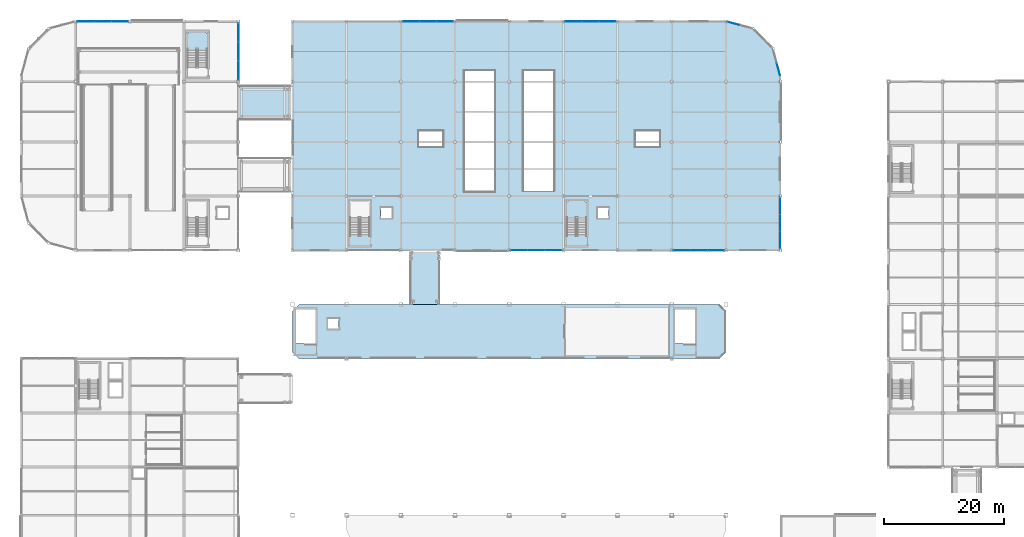
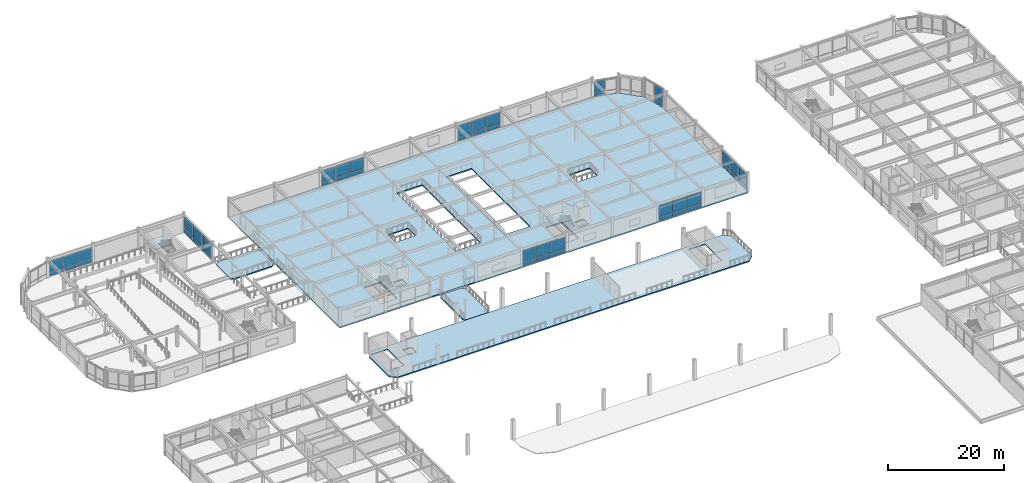
# One storey, part 64 of 105: 46 plates, 6 slabs, 11 elements without a shape of their own.
"""IFC4 building model written with IfcOpenShell, lengths in metres."""

import ifcopenshell
import ifcopenshell.guid

model = None  # the IFC model being written
_history = None  # IfcOwnerHistory: only IFC2X3 demands one
_inside = {}  # id of a spatial element -> (the spatial element, [elements in it])
_under = {}  # id of a project, library or spatial element -> (it, [spatial elements below it])
_declared = {}  # id of a project -> (the project, [libraries it declares])
_typed = {}  # id of a type object -> (the type object, [elements of that type])
_made_of = {}  # id of a material, layer set ... -> (it, [elements and type objects made of it])


def new_model(schema):
    """Start an empty IFC model of exactly this schema.

    Asked for "IFC4X3", IfcOpenShell would pick the latest addendum, in which some entities
    have other attributes; the version numbers below select the first issue.
    IFC2X3 requires an IfcOwnerHistory on every rooted entity: one is made here for all.
    """
    global model, _history
    if schema == "IFC4X3":
        model = ifcopenshell.file(schema_version=(4, 3, 0, 0))
    else:
        model = ifcopenshell.file(schema=schema)
    _inside.clear()
    _under.clear()
    _declared.clear()
    _typed.clear()
    _made_of.clear()
    _history = None
    if model.schema == "IFC2X3":
        org = make("IfcOrganization", Name="unknown")
        user = make(
            "IfcPersonAndOrganization",
            ThePerson=make("IfcPerson", FamilyName="unknown"),
            TheOrganization=org,
        )
        app = make(
            "IfcApplication",
            ApplicationDeveloper=org,
            Version="unknown",
            ApplicationFullName="unknown",
            ApplicationIdentifier="unknown",
        )
        _history = make(
            "IfcOwnerHistory",
            OwningUser=user,
            OwningApplication=app,
            ChangeAction="ADDED",
            CreationDate=0,
        )
    return model


def make(cls, **values):
    """One entity of the class cls with the attributes given. An attribute that is None is left unset."""
    return model.create_entity(
        cls, **{name: value for name, value in values.items() if value is not None}
    )


def rooted(cls, **values):
    """An entity with a GlobalId (a new one), such as an element, a storey or a relation."""
    return make(cls, GlobalId=ifcopenshell.guid.new(), OwnerHistory=_history, **values)


def si_unit(unit_type, name, prefix=None):
    """IfcSIUnit, for example si_unit("LENGTHUNIT", "METRE", prefix="MILLI")."""
    return make("IfcSIUnit", UnitType=unit_type, Prefix=prefix, Name=name)


def assignment(units):
    """IfcUnitAssignment: the units of a project."""
    return None if units is None else make("IfcUnitAssignment", Units=units)


def point(xyz):
    """IfcCartesianPoint."""
    return None if xyz is None else make("IfcCartesianPoint", Coordinates=xyz)


def direction(xyz):
    """IfcDirection."""
    return None if xyz is None else make("IfcDirection", DirectionRatios=xyz)


def frame(location, z_axis=None, x_axis=None):
    """IfcAxis2Placement3D, a coordinate frame: its origin and axes. An axis left out is left unset."""
    return make(
        "IfcAxis2Placement3D",
        Location=point(location),
        Axis=direction(z_axis),
        RefDirection=direction(x_axis),
    )


def frame_2d(location, x_axis=None):
    """IfcAxis2Placement2D, a coordinate frame in the plane: its origin and x axis."""
    return make(
        "IfcAxis2Placement2D", Location=point(location), RefDirection=direction(x_axis)
    )


def origin():
    """The frame at (0, 0, 0) with its axes left unset."""
    return frame((0.0, 0.0, 0.0))


def origin_2d():
    """The frame at (0, 0) in the plane with its x axis left unset."""
    return frame_2d((0.0, 0.0))


def place(relative_to, where):
    """IfcLocalPlacement: puts the frame where relative to a parent placement (None: the world)."""
    return make(
        "IfcLocalPlacement", PlacementRelTo=relative_to, RelativePlacement=where
    )


def context(
    kind, dimensions, precision=None, world=None, true_north=None, identifier=None
):
    """IfcGeometricRepresentationContext, for example the 3D "Model" context."""
    return make(
        "IfcGeometricRepresentationContext",
        ContextIdentifier=identifier,
        ContextType=kind,
        CoordinateSpaceDimension=dimensions,
        Precision=precision,
        WorldCoordinateSystem=world,
        TrueNorth=true_north,
    )


def subcontext(parent, identifier, kind, view, scale=None):
    """IfcGeometricRepresentationSubContext, for example "Body" below "Model"."""
    return make(
        "IfcGeometricRepresentationSubContext",
        ContextIdentifier=identifier,
        ContextType=kind,
        ParentContext=parent,
        TargetScale=scale,
        TargetView=view,
    )


def project(units=None, contexts=None):
    """IfcProject with its units and contexts."""
    return rooted(
        "IfcProject",
        Name="project",
        RepresentationContexts=contexts,
        UnitsInContext=assignment(units),
    )


def spatial(cls, under=None, at=None, **own):
    """A site, building, storey or space (cls), placed at a placement, below another one or the project."""
    s = rooted(cls, ObjectPlacement=at, **own)
    if under is not None:
        _under.setdefault(under.id(), (under, []))[1].append(s)
    return s


def polyline(points):
    """IfcPolyline through the points."""
    return make("IfcPolyline", Points=[point(p) for p in points])


def profile(cls, at=None, kind="AREA", **sizes):
    """A parametric profile (cls). Its sizes go by their IFC names, for example OverallWidth=200.0."""
    return make(cls, ProfileType=kind, Position=at, **sizes)


def rectangle(**sizes):
    """IfcRectangleProfileDef."""
    return profile("IfcRectangleProfileDef", **sizes)


def outline(outer, holes=None, kind="AREA"):
    """IfcArbitraryClosedProfileDef: a profile drawn as a closed curve; with holes, ...WithVoids."""
    if holes is None:
        return make("IfcArbitraryClosedProfileDef", ProfileType=kind, OuterCurve=outer)
    return make(
        "IfcArbitraryProfileDefWithVoids",
        ProfileType=kind,
        OuterCurve=outer,
        InnerCurves=holes,
    )


def extrude(swept, where, along, depth):
    """IfcExtrudedAreaSolid: the profile swept, set in the frame where, extruded along a direction by depth."""
    return make(
        "IfcExtrudedAreaSolid",
        SweptArea=swept,
        Position=where,
        ExtrudedDirection=direction(along),
        Depth=depth,
    )


def shape(context_of_items, identifier, shape_type, items):
    """IfcShapeRepresentation: the items that make up one representation, for example the "Body"."""
    return make(
        "IfcShapeRepresentation",
        ContextOfItems=context_of_items,
        RepresentationIdentifier=identifier,
        RepresentationType=shape_type,
        Items=items,
    )


def material(Name=None, Category=None):
    """IfcMaterial."""
    return make("IfcMaterial", Name=Name, Category=Category)


def layer(
    of_material, thickness, ventilated=None, Name=None, Category=None, Priority=None
):
    """IfcMaterialLayer: one layer of a wall or slab, of a material (None: an air gap)."""
    return make(
        "IfcMaterialLayer",
        Material=of_material,
        LayerThickness=thickness,
        IsVentilated=ventilated,
        Name=Name,
        Category=Category,
        Priority=Priority,
    )


def layer_set(layers, Name=None):
    """IfcMaterialLayerSet."""
    return make("IfcMaterialLayerSet", MaterialLayers=layers, LayerSetName=Name)


def made_of(thing, what):
    """Note that an element or type object is made of a material, layer set ...; save() writes the relation."""
    if what is not None:
        _made_of.setdefault(what.id(), (what, []))[1].append(thing)
    return thing


def type_object(cls, material=None, **own):
    """A type object (cls), such as IfcWallType, which elements share."""
    return made_of(rooted(cls, **own), material)


def element(
    cls,
    number,
    at=None,
    inside=None,
    cuts=None,
    type_object=None,
    material=None,
    context=None,
    identifier="Body",
    shape_type=None,
    held_by="IfcProductDefinitionShape",
    body=None,
    shapes=None,
    **own,
):
    """One element of the class cls, such as IfcWall. Its Tag is "e" and its number.

    at: its placement. inside: the storey or other place that contains it. cuts: it is an
    opening in that element (IfcRelVoidsElement). A single representation is given by context,
    identifier, shape_type and body (its items); several are given by shapes. held_by: the class
    of the entity that holds the representations. save() writes the other relations.
    """
    e = rooted(cls, Tag="e%d" % number, ObjectPlacement=at, **own)
    if body is not None:
        shapes = [shape(context, identifier, shape_type, body)]
    if shapes is not None:
        e.Representation = make(held_by, Representations=shapes)
    if inside is not None:
        _inside.setdefault(inside.id(), (inside, []))[1].append(e)
    if cuts is not None:
        rooted(
            "IfcRelVoidsElement", RelatingBuildingElement=cuts, RelatedOpeningElement=e
        )
    if type_object is not None:
        _typed.setdefault(type_object.id(), (type_object, []))[1].append(e)
    return made_of(e, material)


def aggregate(whole, parts):
    """IfcRelAggregates: a whole, such as a stair, and the parts it consists of."""
    return rooted("IfcRelAggregates", RelatingObject=whole, RelatedObjects=parts)


def save(model, path):
    """Write the relations noted so far, then the file.

    IfcRelAggregates (storeys below a building ...), IfcRelContainedInSpatialStructure (elements
    in a storey), IfcRelDefinesByType, IfcRelAssociatesMaterial and IfcRelDeclares: one each for
    every whole, place, type object, material and project.
    """
    for whole, parts in _under.values():
        aggregate(whole, parts)
    for where, things in _inside.values():
        rooted(
            "IfcRelContainedInSpatialStructure",
            RelatedElements=things,
            RelatingStructure=where,
        )
    for kind, things in _typed.values():
        rooted("IfcRelDefinesByType", RelatedObjects=things, RelatingType=kind)
    for what, things in _made_of.values():
        rooted("IfcRelAssociatesMaterial", RelatedObjects=things, RelatingMaterial=what)
    for by, libraries in _declared.values():
        rooted("IfcRelDeclares", RelatingContext=by, RelatedDefinitions=libraries)
    model.write(path)


model = new_model("IFC4")

# Units and contexts
model_context = context("Model", 3, precision=1e-05, world=origin(), true_north=direction((0.0, 1.0)))
body_context = subcontext(model_context, "Body", "Model", "MODEL_VIEW")
ifc_project = project(units=[si_unit("LENGTHUNIT", "METRE"), si_unit("AREAUNIT", "SQUARE_METRE"), si_unit("VOLUMEUNIT", "CUBIC_METRE"), si_unit("PLANEANGLEUNIT", "RADIAN"), si_unit("MASSUNIT", "GRAM", prefix="KILO")], contexts=[model_context])

# Site, building, storey
site_placement = place(None, origin())
site = spatial("IfcSite", under=ifc_project, at=site_placement, CompositionType="ELEMENT")
building_placement = place(site_placement, origin())
building = spatial("IfcBuilding", under=site, at=building_placement, Name="Suzunagisa Mobility Hub", CompositionType="ELEMENT")
storey_placement = place(building_placement, frame((0.0, 0.0, 5.10009765625)))
storey = spatial("IfcBuildingStorey", under=building, at=storey_placement, Name="L01", CompositionType="ELEMENT", Elevation=5.10009765625)

# Slabs
ifc_material_1 = material(Name="Concrete C35/45", Category="concrete")
ifc_layer_1 = layer(ifc_material_1, 0.260009765625)
ifc_layer_set_1 = layer_set([ifc_layer_1], Name="Concrete C35/45")
slab_type_1 = type_object("IfcSlabType", Name="Composite Slab SL-12 260mm", PredefinedType="FLOOR", material=ifc_layer_set_1)
slab_1_placement = place(storey_placement, frame((0.0, 0.0, -0.260009765625)))
element("IfcSlab", 1, at=slab_1_placement, inside=storey, type_object=slab_type_1, Name="L01 V4 Floor Slab", PredefinedType="FLOOR", context=body_context, shape_type="SweptSolid", body=[
    extrude(outline(polyline([(45.0, 80.0), (126.0, 80.0), (126.0, 109.0), (124.794189453125, 113.5), (121.5, 116.794189453125), (117.0, 118.0), (45.0, 118.0), (45.0, 80.0)]), holes=[polyline([(66.0, 97.199951171875), (70.0, 97.199951171875), (70.0, 99.800048828125), (66.0, 99.800048828125), (66.0, 97.199951171875)]), polyline([(102.0, 97.199951171875), (106.0, 97.199951171875), (106.0, 99.800048828125), (102.0, 99.800048828125), (102.0, 97.199951171875)]), polyline([(54.56005859375, 82.47998046875), (57.840087890625, 82.47998046875), (57.840087890625, 88.199951171875), (54.56005859375, 88.199951171875), (54.56005859375, 82.47998046875)]), polyline([(59.719970703125, 85.3701171875), (61.47998046875, 85.3701171875), (61.47998046875, 87.030029296875), (59.719970703125, 87.030029296875), (59.719970703125, 85.3701171875)]), polyline([(90.56005859375, 82.47998046875), (93.840087890625, 82.47998046875), (93.840087890625, 88.199951171875), (90.56005859375, 88.199951171875), (90.56005859375, 82.47998046875)]), polyline([(95.719970703125, 85.3701171875), (97.47998046875, 85.3701171875), (97.47998046875, 87.030029296875), (95.719970703125, 87.030029296875), (95.719970703125, 85.3701171875)]), polyline([(73.60009765625, 89.800048828125), (78.60009765625, 89.800048828125), (78.60009765625, 109.800048828125), (73.60009765625, 109.800048828125), (73.60009765625, 89.800048828125)]), polyline([(83.39990234375, 89.800048828125), (88.39990234375, 89.800048828125), (88.39990234375, 109.800048828125), (83.39990234375, 109.800048828125), (83.39990234375, 89.800048828125)])]), origin(), (0.0, 0.0, 1.0), 0.260009765625),
])
slab_2_placement = place(storey_placement, frame((0.0, 0.0, -0.260009765625)))
element("IfcSlab", 2, at=slab_2_placement, inside=storey, type_object=slab_type_1, Name="L01 Bridge Deck VRL-L01-N", PredefinedType="FLOOR", context=body_context, shape_type="SweptSolid", body=[
    extrude(outline(polyline([(36.550048828125, 101.60009765625), (44.10009765625, 101.60009765625), (44.64990234375, 102.14990234375), (44.64990234375, 106.85009765625), (44.10009765625, 107.39990234375), (36.550048828125, 107.39990234375), (36.0, 106.85009765625), (36.0, 102.14990234375), (36.550048828125, 101.60009765625)])), origin(), (0.0, 0.0, 1.0), 0.260009765625),
])
ifc_layer_2 = layer(ifc_material_1, 0.25)
ifc_layer_set_2 = layer_set([ifc_layer_2], Name="Concrete C35/45")
slab_type_2 = type_object("IfcSlabType", Name="Composite Slab SL-13 250mm", PredefinedType="FLOOR", material=ifc_layer_set_2)
slab_3_placement = place(storey_placement, frame((0.0, 0.0, -0.25)))
element("IfcSlab", 3, at=slab_3_placement, inside=storey, type_object=slab_type_2, Name="L01 V1 Floor Slab", PredefinedType="FLOOR", context=body_context, shape_type="SweptSolid", body=[
    extrude(outline(polyline([(46.10009765625, 62.0), (115.89990234375, 62.0), (117.0, 63.10009765625), (117.0, 69.89990234375), (115.89990234375, 71.0), (46.10009765625, 71.0), (45.0, 69.89990234375), (45.0, 63.10009765625), (46.10009765625, 62.0)]), holes=[polyline([(45.56005859375, 64.47998046875), (48.840087890625, 64.47998046875), (48.840087890625, 70.199951171875), (45.56005859375, 70.199951171875), (45.56005859375, 64.47998046875)]), polyline([(50.919921875, 66.969970703125), (52.679931640625, 66.969970703125), (52.679931640625, 68.6298828125), (50.919921875, 68.6298828125), (50.919921875, 66.969970703125)]), polyline([(108.56005859375, 64.47998046875), (111.840087890625, 64.47998046875), (111.840087890625, 70.199951171875), (108.56005859375, 70.199951171875), (108.56005859375, 64.47998046875)])]), origin(), (0.0, 0.0, 1.0), 0.25),
])
ifc_material_2 = material(Name="Concrete C30/37", Category="concrete")
ifc_layer_3 = layer(ifc_material_2, 0.239990234375)
ifc_layer_set_3 = layer_set([ifc_layer_3], Name="Concrete C30/37")
slab_type_3 = type_object("IfcSlabType", Name="Composite Slab SL-14 240mm", PredefinedType="FLOOR", material=ifc_layer_set_3)
slab_4_placement = place(storey_placement, frame((0.0, 0.0, -0.239990234375)))
element("IfcSlab", 4, at=slab_4_placement, inside=storey, type_object=slab_type_3, Name="L01 Bridge Deck SB-02", PredefinedType="FLOOR", context=body_context, shape_type="SweptSolid", body=[
    extrude(outline(polyline([(65.050048828125, 71.0), (68.949951171875, 71.0), (69.5, 71.550048828125), (69.5, 79.10009765625), (68.949951171875, 79.64990234375), (65.050048828125, 79.64990234375), (64.5, 79.10009765625), (64.5, 71.550048828125), (65.050048828125, 71.0)])), origin(), (0.0, 0.0, 1.0), 0.239990234375),
])

# Stair, slab
stair_type_1 = type_object("IfcStairType", Name="Dog-Leg Core Escape Stair ST-06 W1560", PredefinedType="HALF_TURN_STAIR", material=ifc_material_1)
stair_1_placement = place(storey_placement, origin())
stair_1 = element("IfcStair", 5, at=stair_1_placement, inside=storey, type_object=stair_type_1, Name="L01 Core C6B Escape Stair ST-06", PredefinedType="HALF_TURN_STAIR")
ifc_layer_4 = layer(ifc_material_1, 0.199951171875)
ifc_layer_set_4 = layer_set([ifc_layer_4], Name="Concrete C35/45")
slab_type_4 = type_object("IfcSlabType", Name="Core Stair Half-Landing Slab SL-SLND", PredefinedType="LANDING", material=ifc_layer_set_4)
slab_5_placement = place(storey_placement, frame((0.0, 0.0, 1.89990234375)))
slab_5 = element("IfcSlab", 6, at=slab_5_placement, type_object=slab_type_4, Name="ST-06 landing 1", PredefinedType="LANDING", context=body_context, shape_type="SweptSolid", body=[
    extrude(outline(polyline([(27.4599609375, 113.360107421875), (30.93994140625, 113.360107421875), (30.93994140625, 115.820068359375), (30.4599609375, 116.300048828125), (27.93994140625, 116.300048828125), (27.4599609375, 115.820068359375), (27.4599609375, 113.360107421875)])), origin(), (0.0, 0.0, 1.0), 0.199951171875),
])
aggregate(stair_1, [slab_5])

stair_type_2 = type_object("IfcStairType", Name="Dog-Leg Core Escape Stair ST-08 W1560", PredefinedType="HALF_TURN_STAIR", material=ifc_material_1)
stair_2_placement = place(storey_placement, origin())
stair_2 = element("IfcStair", 7, at=stair_2_placement, inside=storey, type_object=stair_type_2, Name="L01 Core C4 Escape Stair ST-08", PredefinedType="HALF_TURN_STAIR")
slab_6_placement = place(storey_placement, frame((0.0, 0.0, 1.89990234375)))
slab_6 = element("IfcSlab", 8, at=slab_6_placement, type_object=slab_type_4, Name="ST-08 landing 1", PredefinedType="LANDING", context=body_context, shape_type="SweptSolid", body=[
    extrude(outline(polyline([(90.4599609375, 85.360107421875), (93.93994140625, 85.360107421875), (93.93994140625, 87.820068359375), (93.4599609375, 88.300048828125), (90.93994140625, 88.300048828125), (90.4599609375, 87.820068359375), (90.4599609375, 85.360107421875)])), origin(), (0.0, 0.0, 1.0), 0.199951171875),
])
aggregate(stair_2, [slab_6])

# Curtain wall, plates
ifc_material_3 = material(Name="Thermally Broken Anodized Aluminum and Low-E Glazing", Category="aluminium")
curtain_wall_type_1 = type_object("IfcCurtainWallType", Name="Unitised Curtain Wall CW-03 9500x3600", PredefinedType="USERDEFINED", material=ifc_material_3)
curtain_wall_1_placement = place(storey_placement, origin())
curtain_wall_1 = element("IfcCurtainWall", 9, at=curtain_wall_1_placement, inside=storey, type_object=curtain_wall_type_1, Name="L01 Unitised Curtain Wall CW-57", ObjectType="UNITISED CURTAIN WALL", PredefinedType="USERDEFINED")
ifc_material_4 = material(Name="Low-E Solar-Control Double Glazing", Category="glass")
ifc_layer_5 = layer(ifc_material_4, 0.028076171875)
ifc_layer_set_5 = layer_set([ifc_layer_5], Name="Low-E Solar-Control Double Glazing")
plate_type = type_object("IfcPlateType", Name="Low-E Double Glazed Curtain Panel GP-01 28mm", PredefinedType="CURTAIN_PANEL", material=ifc_layer_set_5)
plate_1_placement = place(storey_placement, frame((36.0, 109.83154296875, 0.06298828125), z_axis=(0.0, 0.0, 1.0), x_axis=(0.0, 1.0, 0.0)))
plate_1 = element("IfcPlate", 10, at=plate_1_placement, type_object=plate_type, Name="Curtain Wall Glazing Panel 57-P1.1", PredefinedType="CURTAIN_PANEL", context=body_context, shape_type="SweptSolid", body=[
    extrude(rectangle(XDim=3.097412109375, YDim=0.028076171875, at=origin_2d()), origin(), (0.0, 0.0, 1.0), 0.8564453125),
])
plate_2_placement = place(storey_placement, frame((36.0, 109.83154296875, 0.98046875), z_axis=(0.0, 0.0, 1.0), x_axis=(0.0, 1.0, 0.0)))
plate_2 = element("IfcPlate", 11, at=plate_2_placement, type_object=plate_type, Name="Curtain Wall Glazing Panel 57-P1.2", PredefinedType="CURTAIN_PANEL", context=body_context, shape_type="SweptSolid", body=[
    extrude(rectangle(XDim=3.097412109375, YDim=0.028076171875, at=origin_2d()), origin(), (0.0, 0.0, 1.0), 2.506591796875),
])
plate_3_placement = place(storey_placement, frame((36.0, 113.0, 0.06298828125), z_axis=(0.0, 0.0, 1.0), x_axis=(0.0, 1.0, 0.0)))
plate_3 = element("IfcPlate", 12, at=plate_3_placement, type_object=plate_type, Name="Curtain Wall Glazing Panel 57-P2.1", PredefinedType="CURTAIN_PANEL", context=body_context, shape_type="SweptSolid", body=[
    extrude(rectangle(XDim=3.12744140625, YDim=0.028076171875, at=origin_2d()), origin(), (0.0, 0.0, 1.0), 0.8564453125),
])
plate_4_placement = place(storey_placement, frame((36.0, 113.0, 0.98046875), z_axis=(0.0, 0.0, 1.0), x_axis=(0.0, 1.0, 0.0)))
plate_4 = element("IfcPlate", 13, at=plate_4_placement, type_object=plate_type, Name="Curtain Wall Glazing Panel 57-P2.2", PredefinedType="CURTAIN_PANEL", context=body_context, shape_type="SweptSolid", body=[
    extrude(rectangle(XDim=3.12744140625, YDim=0.028076171875, at=origin_2d()), origin(), (0.0, 0.0, 1.0), 2.506591796875),
])
plate_5_placement = place(storey_placement, frame((36.0, 116.168212890625, 0.06298828125), z_axis=(0.0, 0.0, 1.0), x_axis=(0.0, 1.0, 0.0)))
plate_5 = element("IfcPlate", 14, at=plate_5_placement, type_object=plate_type, Name="Curtain Wall Glazing Panel 57-P3.1", PredefinedType="CURTAIN_PANEL", context=body_context, shape_type="SweptSolid", body=[
    extrude(rectangle(XDim=3.097412109375, YDim=0.028076171875, at=origin_2d()), origin(), (0.0, 0.0, 1.0), 0.8564453125),
])
plate_6_placement = place(storey_placement, frame((36.0, 116.168212890625, 0.98046875), z_axis=(0.0, 0.0, 1.0), x_axis=(0.0, 1.0, 0.0)))
plate_6 = element("IfcPlate", 15, at=plate_6_placement, type_object=plate_type, Name="Curtain Wall Glazing Panel 57-P3.2", PredefinedType="CURTAIN_PANEL", context=body_context, shape_type="SweptSolid", body=[
    extrude(rectangle(XDim=3.097412109375, YDim=0.028076171875, at=origin_2d()), origin(), (0.0, 0.0, 1.0), 2.506591796875),
])
aggregate(curtain_wall_1, [plate_1, plate_2, plate_3, plate_4, plate_5, plate_6])

curtain_wall_type_2 = type_object("IfcCurtainWallType", Name="Unitised Curtain Wall CW-43 8500x3300", PredefinedType="USERDEFINED", material=ifc_material_3)
curtain_wall_2_placement = place(storey_placement, origin())
curtain_wall_2 = element("IfcCurtainWall", 16, at=curtain_wall_2_placement, inside=storey, type_object=curtain_wall_type_2, Name="L01 Unitised Curtain Wall CW-58", ObjectType="UNITISED CURTAIN WALL", PredefinedType="USERDEFINED")
plate_7_placement = place(storey_placement, frame((16.3349609375, 118.0, 0.06298828125), z_axis=(0.0, 0.0, 1.0), x_axis=(-1.0, 0.0, 0.0)))
plate_7 = element("IfcPlate", 17, at=plate_7_placement, type_object=plate_type, Name="Curtain Wall Glazing Panel 58-P1.1", PredefinedType="CURTAIN_PANEL", context=body_context, shape_type="SweptSolid", body=[
    extrude(rectangle(XDim=2.763916015625, YDim=0.028076171875, at=origin_2d()), origin(), (0.0, 0.0, 1.0), 0.8564453125),
])
plate_8_placement = place(storey_placement, frame((16.3349609375, 118.0, 0.980224609375), z_axis=(0.0, 0.0, 1.0), x_axis=(-1.0, 0.0, 0.0)))
plate_8 = element("IfcPlate", 18, at=plate_8_placement, type_object=plate_type, Name="Curtain Wall Glazing Panel 58-P1.2", PredefinedType="CURTAIN_PANEL", context=body_context, shape_type="SweptSolid", body=[
    extrude(rectangle(XDim=2.763916015625, YDim=0.028076171875, at=origin_2d()), origin(), (0.0, 0.0, 1.0), 2.24658203125),
])
plate_9_placement = place(storey_placement, frame((13.5, 118.0, 0.06298828125), z_axis=(0.0, 0.0, 1.0), x_axis=(-1.0, 0.0, 0.0)))
plate_9 = element("IfcPlate", 19, at=plate_9_placement, type_object=plate_type, Name="Curtain Wall Glazing Panel 58-P2.1", PredefinedType="CURTAIN_PANEL", context=body_context, shape_type="SweptSolid", body=[
    extrude(rectangle(XDim=2.7939453125, YDim=0.028076171875, at=origin_2d()), origin(), (0.0, 0.0, 1.0), 0.8564453125),
])
plate_10_placement = place(storey_placement, frame((13.5, 118.0, 0.980224609375), z_axis=(0.0, 0.0, 1.0), x_axis=(-1.0, 0.0, 0.0)))
plate_10 = element("IfcPlate", 20, at=plate_10_placement, type_object=plate_type, Name="Curtain Wall Glazing Panel 58-P2.2", PredefinedType="CURTAIN_PANEL", context=body_context, shape_type="SweptSolid", body=[
    extrude(rectangle(XDim=2.7939453125, YDim=0.028076171875, at=origin_2d()), origin(), (0.0, 0.0, 1.0), 2.24658203125),
])
plate_11_placement = place(storey_placement, frame((10.6650390625, 118.0, 0.06298828125), z_axis=(0.0, 0.0, 1.0), x_axis=(-1.0, 0.0, 0.0)))
plate_11 = element("IfcPlate", 21, at=plate_11_placement, type_object=plate_type, Name="Curtain Wall Glazing Panel 58-P3.1", PredefinedType="CURTAIN_PANEL", context=body_context, shape_type="SweptSolid", body=[
    extrude(rectangle(XDim=2.763916015625, YDim=0.028076171875, at=origin_2d()), origin(), (0.0, 0.0, 1.0), 0.8564453125),
])
plate_12_placement = place(storey_placement, frame((10.6650390625, 118.0, 0.980224609375), z_axis=(0.0, 0.0, 1.0), x_axis=(-1.0, 0.0, 0.0)))
plate_12 = element("IfcPlate", 22, at=plate_12_placement, type_object=plate_type, Name="Curtain Wall Glazing Panel 58-P3.2", PredefinedType="CURTAIN_PANEL", context=body_context, shape_type="SweptSolid", body=[
    extrude(rectangle(XDim=2.763916015625, YDim=0.028076171875, at=origin_2d()), origin(), (0.0, 0.0, 1.0), 2.24658203125),
])
aggregate(curtain_wall_2, [plate_7, plate_8, plate_9, plate_10, plate_11, plate_12])

curtain_wall_type_3 = type_object("IfcCurtainWallType", Name="Unitised Curtain Wall CW-29 8500x3400", PredefinedType="USERDEFINED", material=ifc_material_3)
curtain_wall_3_placement = place(storey_placement, origin())
curtain_wall_3 = element("IfcCurtainWall", 23, at=curtain_wall_3_placement, inside=storey, type_object=curtain_wall_type_3, Name="L01 Unitised Curtain Wall CW-101", ObjectType="UNITISED CURTAIN WALL", PredefinedType="USERDEFINED")
plate_13_placement = place(storey_placement, frame((82.6650390625, 80.0, 0.06298828125), z_axis=(0.0, 0.0, 1.0), x_axis=(1.0, 0.0, 0.0)))
plate_13 = element("IfcPlate", 24, at=plate_13_placement, type_object=plate_type, Name="Curtain Wall Glazing Panel 101-P1.1", PredefinedType="CURTAIN_PANEL", context=body_context, shape_type="SweptSolid", body=[
    extrude(rectangle(XDim=2.763916015625, YDim=0.028076171875, at=origin_2d()), origin(), (0.0, 0.0, 1.0), 0.8564453125),
])
plate_14_placement = place(storey_placement, frame((82.6650390625, 80.0, 0.98046875), z_axis=(0.0, 0.0, 1.0), x_axis=(1.0, 0.0, 0.0)))
plate_14 = element("IfcPlate", 25, at=plate_14_placement, type_object=plate_type, Name="Curtain Wall Glazing Panel 101-P1.2", PredefinedType="CURTAIN_PANEL", context=body_context, shape_type="SweptSolid", body=[
    extrude(rectangle(XDim=2.763916015625, YDim=0.028076171875, at=origin_2d()), origin(), (0.0, 0.0, 1.0), 2.30859375),
])
plate_15_placement = place(storey_placement, frame((85.5, 80.0, 0.06298828125), z_axis=(0.0, 0.0, 1.0), x_axis=(1.0, 0.0, 0.0)))
plate_15 = element("IfcPlate", 26, at=plate_15_placement, type_object=plate_type, Name="Curtain Wall Glazing Panel 101-P2.1", PredefinedType="CURTAIN_PANEL", context=body_context, shape_type="SweptSolid", body=[
    extrude(rectangle(XDim=2.7939453125, YDim=0.028076171875, at=origin_2d()), origin(), (0.0, 0.0, 1.0), 0.8564453125),
])
plate_16_placement = place(storey_placement, frame((85.5, 80.0, 0.98046875), z_axis=(0.0, 0.0, 1.0), x_axis=(1.0, 0.0, 0.0)))
plate_16 = element("IfcPlate", 27, at=plate_16_placement, type_object=plate_type, Name="Curtain Wall Glazing Panel 101-P2.2", PredefinedType="CURTAIN_PANEL", context=body_context, shape_type="SweptSolid", body=[
    extrude(rectangle(XDim=2.7939453125, YDim=0.028076171875, at=origin_2d()), origin(), (0.0, 0.0, 1.0), 2.30859375),
])
plate_17_placement = place(storey_placement, frame((88.3349609375, 80.0, 0.06298828125), z_axis=(0.0, 0.0, 1.0), x_axis=(1.0, 0.0, 0.0)))
plate_17 = element("IfcPlate", 28, at=plate_17_placement, type_object=plate_type, Name="Curtain Wall Glazing Panel 101-P3.1", PredefinedType="CURTAIN_PANEL", context=body_context, shape_type="SweptSolid", body=[
    extrude(rectangle(XDim=2.763916015625, YDim=0.028076171875, at=origin_2d()), origin(), (0.0, 0.0, 1.0), 0.8564453125),
])
plate_18_placement = place(storey_placement, frame((88.3349609375, 80.0, 0.98046875), z_axis=(0.0, 0.0, 1.0), x_axis=(1.0, 0.0, 0.0)))
plate_18 = element("IfcPlate", 29, at=plate_18_placement, type_object=plate_type, Name="Curtain Wall Glazing Panel 101-P3.2", PredefinedType="CURTAIN_PANEL", context=body_context, shape_type="SweptSolid", body=[
    extrude(rectangle(XDim=2.763916015625, YDim=0.028076171875, at=origin_2d()), origin(), (0.0, 0.0, 1.0), 2.30859375),
])
aggregate(curtain_wall_3, [plate_13, plate_14, plate_15, plate_16, plate_17, plate_18])

curtain_wall_4_placement = place(storey_placement, origin())
curtain_wall_4 = element("IfcCurtainWall", 30, at=curtain_wall_4_placement, inside=storey, type_object=curtain_wall_type_3, Name="L01 Unitised Curtain Wall CW-102", ObjectType="UNITISED CURTAIN WALL", PredefinedType="USERDEFINED")
plate_19_placement = place(storey_placement, frame((109.6650390625, 80.0, 0.06298828125), z_axis=(0.0, 0.0, 1.0), x_axis=(1.0, 0.0, 0.0)))
plate_19 = element("IfcPlate", 31, at=plate_19_placement, type_object=plate_type, Name="Curtain Wall Glazing Panel 102-P1.1", PredefinedType="CURTAIN_PANEL", context=body_context, shape_type="SweptSolid", body=[
    extrude(rectangle(XDim=2.763916015625, YDim=0.028076171875, at=origin_2d()), origin(), (0.0, 0.0, 1.0), 0.8564453125),
])
plate_20_placement = place(storey_placement, frame((109.6650390625, 80.0, 0.98046875), z_axis=(0.0, 0.0, 1.0), x_axis=(1.0, 0.0, 0.0)))
plate_20 = element("IfcPlate", 32, at=plate_20_placement, type_object=plate_type, Name="Curtain Wall Glazing Panel 102-P1.2", PredefinedType="CURTAIN_PANEL", context=body_context, shape_type="SweptSolid", body=[
    extrude(rectangle(XDim=2.763916015625, YDim=0.028076171875, at=origin_2d()), origin(), (0.0, 0.0, 1.0), 2.30859375),
])
plate_21_placement = place(storey_placement, frame((112.5, 80.0, 0.06298828125), z_axis=(0.0, 0.0, 1.0), x_axis=(1.0, 0.0, 0.0)))
plate_21 = element("IfcPlate", 33, at=plate_21_placement, type_object=plate_type, Name="Curtain Wall Glazing Panel 102-P2.1", PredefinedType="CURTAIN_PANEL", context=body_context, shape_type="SweptSolid", body=[
    extrude(rectangle(XDim=2.7939453125, YDim=0.028076171875, at=origin_2d()), origin(), (0.0, 0.0, 1.0), 0.8564453125),
])
plate_22_placement = place(storey_placement, frame((112.5, 80.0, 0.98046875), z_axis=(0.0, 0.0, 1.0), x_axis=(1.0, 0.0, 0.0)))
plate_22 = element("IfcPlate", 34, at=plate_22_placement, type_object=plate_type, Name="Curtain Wall Glazing Panel 102-P2.2", PredefinedType="CURTAIN_PANEL", context=body_context, shape_type="SweptSolid", body=[
    extrude(rectangle(XDim=2.7939453125, YDim=0.028076171875, at=origin_2d()), origin(), (0.0, 0.0, 1.0), 2.30859375),
])
plate_23_placement = place(storey_placement, frame((115.3349609375, 80.0, 0.06298828125), z_axis=(0.0, 0.0, 1.0), x_axis=(1.0, 0.0, 0.0)))
plate_23 = element("IfcPlate", 35, at=plate_23_placement, type_object=plate_type, Name="Curtain Wall Glazing Panel 102-P3.1", PredefinedType="CURTAIN_PANEL", context=body_context, shape_type="SweptSolid", body=[
    extrude(rectangle(XDim=2.763916015625, YDim=0.028076171875, at=origin_2d()), origin(), (0.0, 0.0, 1.0), 0.8564453125),
])
plate_24_placement = place(storey_placement, frame((115.3349609375, 80.0, 0.98046875), z_axis=(0.0, 0.0, 1.0), x_axis=(1.0, 0.0, 0.0)))
plate_24 = element("IfcPlate", 36, at=plate_24_placement, type_object=plate_type, Name="Curtain Wall Glazing Panel 102-P3.2", PredefinedType="CURTAIN_PANEL", context=body_context, shape_type="SweptSolid", body=[
    extrude(rectangle(XDim=2.763916015625, YDim=0.028076171875, at=origin_2d()), origin(), (0.0, 0.0, 1.0), 2.30859375),
])
aggregate(curtain_wall_4, [plate_19, plate_20, plate_21, plate_22, plate_23, plate_24])

curtain_wall_type_4 = type_object("IfcCurtainWallType", Name="Unitised Curtain Wall CW-20 8500x3500", PredefinedType="USERDEFINED", material=ifc_material_3)
curtain_wall_5_placement = place(storey_placement, origin())
curtain_wall_5 = element("IfcCurtainWall", 37, at=curtain_wall_5_placement, inside=storey, type_object=curtain_wall_type_4, Name="L01 Unitised Curtain Wall CW-103", ObjectType="UNITISED CURTAIN WALL", PredefinedType="USERDEFINED")
plate_25_placement = place(storey_placement, frame((126.0, 81.6650390625, 0.06298828125), z_axis=(0.0, 0.0, 1.0), x_axis=(0.0, 1.0, 0.0)))
plate_25 = element("IfcPlate", 38, at=plate_25_placement, type_object=plate_type, Name="Curtain Wall Glazing Panel 103-P1.1", PredefinedType="CURTAIN_PANEL", context=body_context, shape_type="SweptSolid", body=[
    extrude(rectangle(XDim=2.763916015625, YDim=0.028076171875, at=origin_2d()), origin(), (0.0, 0.0, 1.0), 0.8564453125),
])
plate_26_placement = place(storey_placement, frame((126.0, 81.6650390625, 0.98046875), z_axis=(0.0, 0.0, 1.0), x_axis=(0.0, 1.0, 0.0)))
plate_26 = element("IfcPlate", 39, at=plate_26_placement, type_object=plate_type, Name="Curtain Wall Glazing Panel 103-P1.2", PredefinedType="CURTAIN_PANEL", context=body_context, shape_type="SweptSolid", body=[
    extrude(rectangle(XDim=2.763916015625, YDim=0.028076171875, at=origin_2d()), origin(), (0.0, 0.0, 1.0), 2.446533203125),
])
plate_27_placement = place(storey_placement, frame((126.0, 84.5, 0.06298828125), z_axis=(0.0, 0.0, 1.0), x_axis=(0.0, 1.0, 0.0)))
plate_27 = element("IfcPlate", 40, at=plate_27_placement, type_object=plate_type, Name="Curtain Wall Glazing Panel 103-P2.1", PredefinedType="CURTAIN_PANEL", context=body_context, shape_type="SweptSolid", body=[
    extrude(rectangle(XDim=2.7939453125, YDim=0.028076171875, at=origin_2d()), origin(), (0.0, 0.0, 1.0), 0.8564453125),
])
plate_28_placement = place(storey_placement, frame((126.0, 84.5, 0.98046875), z_axis=(0.0, 0.0, 1.0), x_axis=(0.0, 1.0, 0.0)))
plate_28 = element("IfcPlate", 41, at=plate_28_placement, type_object=plate_type, Name="Curtain Wall Glazing Panel 103-P2.2", PredefinedType="CURTAIN_PANEL", context=body_context, shape_type="SweptSolid", body=[
    extrude(rectangle(XDim=2.7939453125, YDim=0.028076171875, at=origin_2d()), origin(), (0.0, 0.0, 1.0), 2.446533203125),
])
plate_29_placement = place(storey_placement, frame((126.0, 87.3349609375, 0.06298828125), z_axis=(0.0, 0.0, 1.0), x_axis=(0.0, 1.0, 0.0)))
plate_29 = element("IfcPlate", 42, at=plate_29_placement, type_object=plate_type, Name="Curtain Wall Glazing Panel 103-P3.1", PredefinedType="CURTAIN_PANEL", context=body_context, shape_type="SweptSolid", body=[
    extrude(rectangle(XDim=2.763916015625, YDim=0.028076171875, at=origin_2d()), origin(), (0.0, 0.0, 1.0), 0.8564453125),
])
plate_30_placement = place(storey_placement, frame((126.0, 87.3349609375, 0.98046875), z_axis=(0.0, 0.0, 1.0), x_axis=(0.0, 1.0, 0.0)))
plate_30 = element("IfcPlate", 43, at=plate_30_placement, type_object=plate_type, Name="Curtain Wall Glazing Panel 103-P3.2", PredefinedType="CURTAIN_PANEL", context=body_context, shape_type="SweptSolid", body=[
    extrude(rectangle(XDim=2.763916015625, YDim=0.028076171875, at=origin_2d()), origin(), (0.0, 0.0, 1.0), 2.446533203125),
])
aggregate(curtain_wall_5, [plate_25, plate_26, plate_27, plate_28, plate_29, plate_30])

curtain_wall_type_5 = type_object("IfcCurtainWallType", Name="Unitised Curtain Wall CW-48 4500x3900", PredefinedType="USERDEFINED", material=ifc_material_3)
curtain_wall_6_placement = place(storey_placement, origin())
curtain_wall_6 = element("IfcCurtainWall", 44, at=curtain_wall_6_placement, inside=storey, type_object=curtain_wall_type_5, Name="L01 Unitised Curtain Wall CW-104", ObjectType="UNITISED CURTAIN WALL", PredefinedType="USERDEFINED")
plate_31_placement = place(storey_placement, frame((125.712890625, 110.072021484375, 0.05810546875), z_axis=(0.0, 0.0, 1.0), x_axis=(-0.258815230137, 0.965926848498, 0.0)))
plate_31 = element("IfcPlate", 45, at=plate_31_placement, type_object=plate_type, Name="Curtain Wall Glazing Panel 104-P1.1", PredefinedType="CURTAIN_PANEL", context=body_context, shape_type="SweptSolid", body=[
    extrude(rectangle(XDim=2.103515625, YDim=0.028076171875, at=origin_2d()), origin(), (0.0, 0.0, 1.0), 0.864013671875),
])
plate_32_placement = place(storey_placement, frame((125.712890625, 110.072021484375, 0.97802734375), z_axis=(0.0, 0.0, 1.0), x_axis=(-0.258815230137, 0.965926848498, 0.0)))
plate_32 = element("IfcPlate", 46, at=plate_32_placement, type_object=plate_type, Name="Curtain Wall Glazing Panel 104-P1.2", PredefinedType="CURTAIN_PANEL", context=body_context, shape_type="SweptSolid", body=[
    extrude(rectangle(XDim=2.103515625, YDim=0.028076171875, at=origin_2d()), origin(), (0.0, 0.0, 1.0), 2.904052734375),
])
aggregate(curtain_wall_6, [plate_31, plate_32])

curtain_wall_type_6 = type_object("IfcCurtainWallType", Name="Unitised Curtain Wall CW-31 4000x3200", PredefinedType="USERDEFINED", material=ifc_material_3)
curtain_wall_7_placement = place(storey_placement, origin())
curtain_wall_7 = element("IfcCurtainWall", 47, at=curtain_wall_7_placement, inside=storey, type_object=curtain_wall_type_6, Name="L01 Unitised Curtain Wall CW-106", ObjectType="UNITISED CURTAIN WALL", PredefinedType="USERDEFINED")
plate_33_placement = place(storey_placement, frame((118.271484375, 117.6591796875, 0.05810546875), z_axis=(0.0, 0.0, 1.0), x_axis=(-0.965925206606, 0.258821357779, 0.0)))
plate_33 = element("IfcPlate", 48, at=plate_33_placement, type_object=plate_type, Name="Curtain Wall Glazing Panel 106-P2.1", PredefinedType="CURTAIN_PANEL", context=body_context, shape_type="SweptSolid", body=[
    extrude(rectangle(XDim=1.965576171875, YDim=0.028076171875, at=origin_2d()), origin(), (0.0, 0.0, 1.0), 0.864013671875),
])
plate_34_placement = place(storey_placement, frame((118.271484375, 117.6591796875, 0.977783203125), z_axis=(0.0, 0.0, 1.0), x_axis=(-0.965925206606, 0.258821357779, 0.0)))
plate_34 = element("IfcPlate", 49, at=plate_34_placement, type_object=plate_type, Name="Curtain Wall Glazing Panel 106-P2.2", PredefinedType="CURTAIN_PANEL", context=body_context, shape_type="SweptSolid", body=[
    extrude(rectangle(XDim=1.965576171875, YDim=0.028076171875, at=origin_2d()), origin(), (0.0, 0.0, 1.0), 2.2041015625),
])
aggregate(curtain_wall_7, [plate_33, plate_34])

curtain_wall_8_placement = place(storey_placement, origin())
curtain_wall_8 = element("IfcCurtainWall", 50, at=curtain_wall_8_placement, inside=storey, type_object=curtain_wall_type_3, Name="L01 Unitised Curtain Wall CW-107", ObjectType="UNITISED CURTAIN WALL", PredefinedType="USERDEFINED")
plate_35_placement = place(storey_placement, frame((97.3349609375, 118.0, 0.06298828125), z_axis=(0.0, 0.0, 1.0), x_axis=(-1.0, 0.0, 0.0)))
plate_35 = element("IfcPlate", 51, at=plate_35_placement, type_object=plate_type, Name="Curtain Wall Glazing Panel 107-P1.1", PredefinedType="CURTAIN_PANEL", context=body_context, shape_type="SweptSolid", body=[
    extrude(rectangle(XDim=2.763916015625, YDim=0.028076171875, at=origin_2d()), origin(), (0.0, 0.0, 1.0), 0.8564453125),
])
plate_36_placement = place(storey_placement, frame((97.3349609375, 118.0, 0.98046875), z_axis=(0.0, 0.0, 1.0), x_axis=(-1.0, 0.0, 0.0)))
plate_36 = element("IfcPlate", 52, at=plate_36_placement, type_object=plate_type, Name="Curtain Wall Glazing Panel 107-P1.2", PredefinedType="CURTAIN_PANEL", context=body_context, shape_type="SweptSolid", body=[
    extrude(rectangle(XDim=2.763916015625, YDim=0.028076171875, at=origin_2d()), origin(), (0.0, 0.0, 1.0), 2.30859375),
])
plate_37_placement = place(storey_placement, frame((94.5, 118.0, 0.06298828125), z_axis=(0.0, 0.0, 1.0), x_axis=(-1.0, 0.0, 0.0)))
plate_37 = element("IfcPlate", 53, at=plate_37_placement, type_object=plate_type, Name="Curtain Wall Glazing Panel 107-P2.1", PredefinedType="CURTAIN_PANEL", context=body_context, shape_type="SweptSolid", body=[
    extrude(rectangle(XDim=2.7939453125, YDim=0.028076171875, at=origin_2d()), origin(), (0.0, 0.0, 1.0), 0.8564453125),
])
plate_38_placement = place(storey_placement, frame((94.5, 118.0, 0.98046875), z_axis=(0.0, 0.0, 1.0), x_axis=(-1.0, 0.0, 0.0)))
plate_38 = element("IfcPlate", 54, at=plate_38_placement, type_object=plate_type, Name="Curtain Wall Glazing Panel 107-P2.2", PredefinedType="CURTAIN_PANEL", context=body_context, shape_type="SweptSolid", body=[
    extrude(rectangle(XDim=2.7939453125, YDim=0.028076171875, at=origin_2d()), origin(), (0.0, 0.0, 1.0), 2.30859375),
])
plate_39_placement = place(storey_placement, frame((91.6650390625, 118.0, 0.06298828125), z_axis=(0.0, 0.0, 1.0), x_axis=(-1.0, 0.0, 0.0)))
plate_39 = element("IfcPlate", 55, at=plate_39_placement, type_object=plate_type, Name="Curtain Wall Glazing Panel 107-P3.1", PredefinedType="CURTAIN_PANEL", context=body_context, shape_type="SweptSolid", body=[
    extrude(rectangle(XDim=2.763916015625, YDim=0.028076171875, at=origin_2d()), origin(), (0.0, 0.0, 1.0), 0.8564453125),
])
plate_40_placement = place(storey_placement, frame((91.6650390625, 118.0, 0.98046875), z_axis=(0.0, 0.0, 1.0), x_axis=(-1.0, 0.0, 0.0)))
plate_40 = element("IfcPlate", 56, at=plate_40_placement, type_object=plate_type, Name="Curtain Wall Glazing Panel 107-P3.2", PredefinedType="CURTAIN_PANEL", context=body_context, shape_type="SweptSolid", body=[
    extrude(rectangle(XDim=2.763916015625, YDim=0.028076171875, at=origin_2d()), origin(), (0.0, 0.0, 1.0), 2.30859375),
])
aggregate(curtain_wall_8, [plate_35, plate_36, plate_37, plate_38, plate_39, plate_40])

curtain_wall_9_placement = place(storey_placement, origin())
curtain_wall_9 = element("IfcCurtainWall", 57, at=curtain_wall_9_placement, inside=storey, type_object=curtain_wall_type_3, Name="L01 Unitised Curtain Wall CW-108", ObjectType="UNITISED CURTAIN WALL", PredefinedType="USERDEFINED")
plate_41_placement = place(storey_placement, frame((70.3349609375, 118.0, 0.06298828125), z_axis=(0.0, 0.0, 1.0), x_axis=(-1.0, 0.0, 0.0)))
plate_41 = element("IfcPlate", 58, at=plate_41_placement, type_object=plate_type, Name="Curtain Wall Glazing Panel 108-P1.1", PredefinedType="CURTAIN_PANEL", context=body_context, shape_type="SweptSolid", body=[
    extrude(rectangle(XDim=2.763916015625, YDim=0.028076171875, at=origin_2d()), origin(), (0.0, 0.0, 1.0), 0.8564453125),
])
plate_42_placement = place(storey_placement, frame((70.3349609375, 118.0, 0.98046875), z_axis=(0.0, 0.0, 1.0), x_axis=(-1.0, 0.0, 0.0)))
plate_42 = element("IfcPlate", 59, at=plate_42_placement, type_object=plate_type, Name="Curtain Wall Glazing Panel 108-P1.2", PredefinedType="CURTAIN_PANEL", context=body_context, shape_type="SweptSolid", body=[
    extrude(rectangle(XDim=2.763916015625, YDim=0.028076171875, at=origin_2d()), origin(), (0.0, 0.0, 1.0), 2.30859375),
])
plate_43_placement = place(storey_placement, frame((67.5, 118.0, 0.06298828125), z_axis=(0.0, 0.0, 1.0), x_axis=(-1.0, 0.0, 0.0)))
plate_43 = element("IfcPlate", 60, at=plate_43_placement, type_object=plate_type, Name="Curtain Wall Glazing Panel 108-P2.1", PredefinedType="CURTAIN_PANEL", context=body_context, shape_type="SweptSolid", body=[
    extrude(rectangle(XDim=2.7939453125, YDim=0.028076171875, at=origin_2d()), origin(), (0.0, 0.0, 1.0), 0.8564453125),
])
plate_44_placement = place(storey_placement, frame((67.5, 118.0, 0.98046875), z_axis=(0.0, 0.0, 1.0), x_axis=(-1.0, 0.0, 0.0)))
plate_44 = element("IfcPlate", 61, at=plate_44_placement, type_object=plate_type, Name="Curtain Wall Glazing Panel 108-P2.2", PredefinedType="CURTAIN_PANEL", context=body_context, shape_type="SweptSolid", body=[
    extrude(rectangle(XDim=2.7939453125, YDim=0.028076171875, at=origin_2d()), origin(), (0.0, 0.0, 1.0), 2.30859375),
])
plate_45_placement = place(storey_placement, frame((64.6650390625, 118.0, 0.06298828125), z_axis=(0.0, 0.0, 1.0), x_axis=(-1.0, 0.0, 0.0)))
plate_45 = element("IfcPlate", 62, at=plate_45_placement, type_object=plate_type, Name="Curtain Wall Glazing Panel 108-P3.1", PredefinedType="CURTAIN_PANEL", context=body_context, shape_type="SweptSolid", body=[
    extrude(rectangle(XDim=2.763916015625, YDim=0.028076171875, at=origin_2d()), origin(), (0.0, 0.0, 1.0), 0.8564453125),
])
plate_46_placement = place(storey_placement, frame((64.6650390625, 118.0, 0.98046875), z_axis=(0.0, 0.0, 1.0), x_axis=(-1.0, 0.0, 0.0)))
plate_46 = element("IfcPlate", 63, at=plate_46_placement, type_object=plate_type, Name="Curtain Wall Glazing Panel 108-P3.2", PredefinedType="CURTAIN_PANEL", context=body_context, shape_type="SweptSolid", body=[
    extrude(rectangle(XDim=2.763916015625, YDim=0.028076171875, at=origin_2d()), origin(), (0.0, 0.0, 1.0), 2.30859375),
])
aggregate(curtain_wall_9, [plate_41, plate_42, plate_43, plate_44, plate_45, plate_46])

save(model, "model.ifc")
